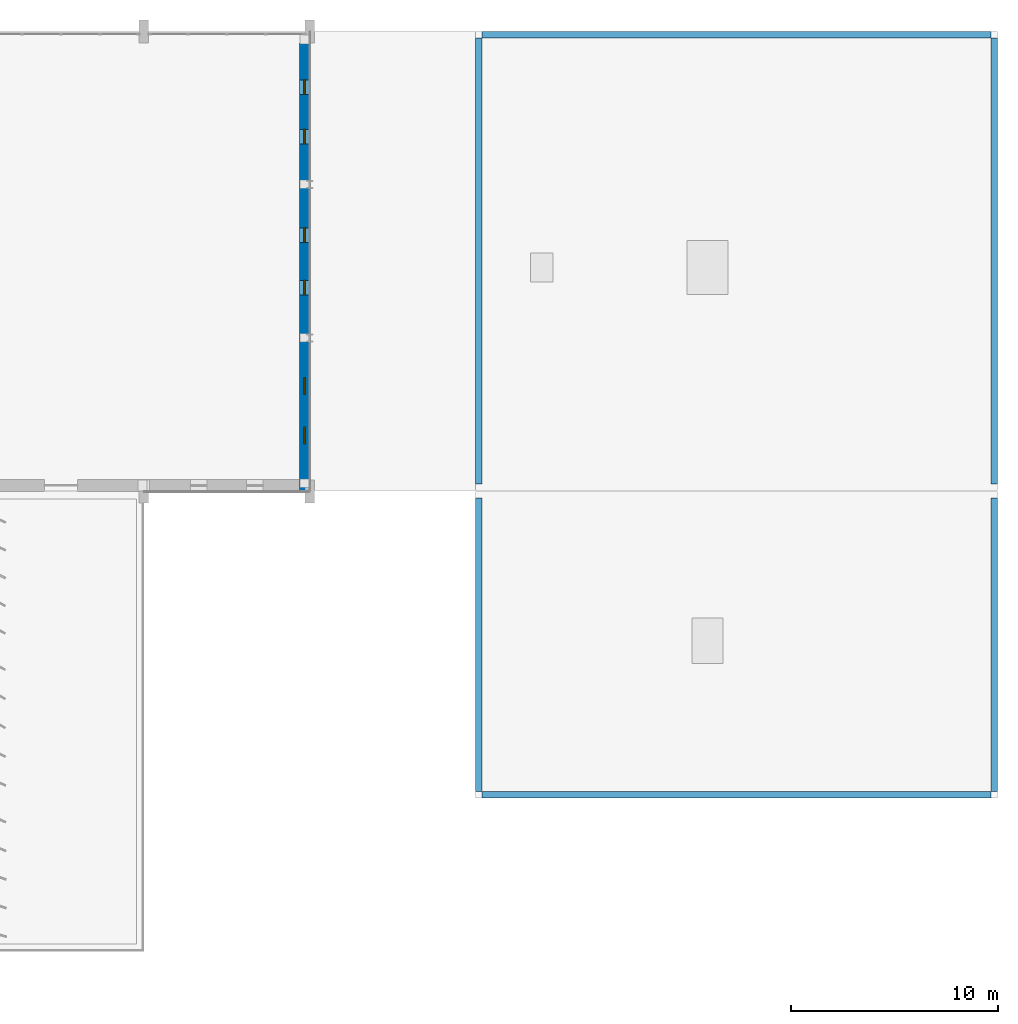
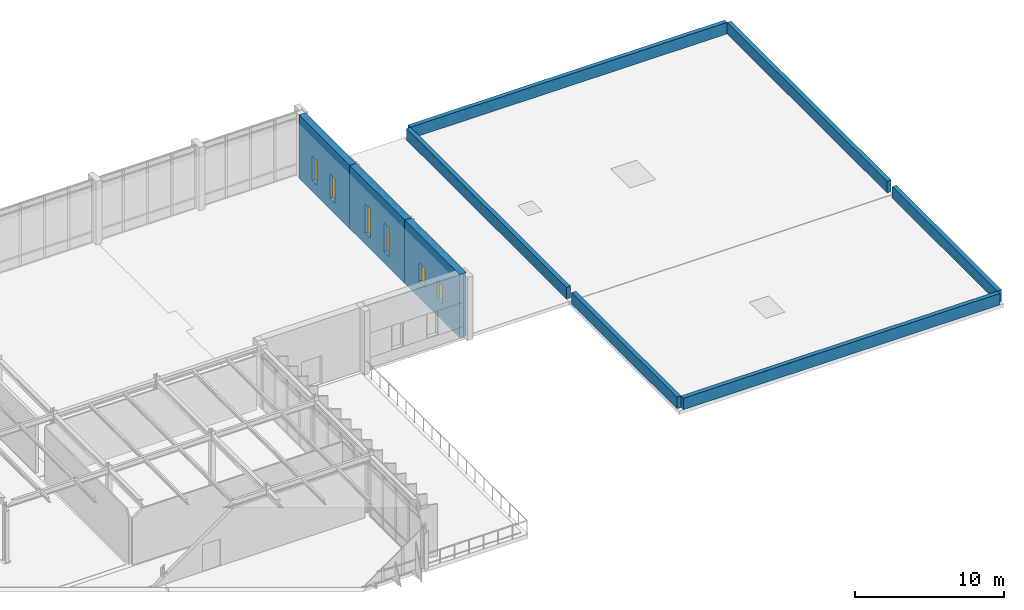
# One storey, part 37 of 48: 9 walls, 6 windows, 6 openings.
"""IFC4 building model written with IfcOpenShell, lengths in metres."""

from ifc_helpers import new_model, si_unit, direction, frame, frame_2d, origin, place, context, subcontext, project, spatial, rectangle, extrude, material, layer, layer_set, type_object, element, fill, save


model = new_model("IFC4")

# Units and contexts
model_context = context("Model", 3, precision=1e-05, world=origin(), true_north=direction((0.0, 1.0)))
body_context = subcontext(model_context, "Body", "Model", "MODEL_VIEW")
ifc_project = project(units=[si_unit("LENGTHUNIT", "METRE"), si_unit("AREAUNIT", "SQUARE_METRE"), si_unit("VOLUMEUNIT", "CUBIC_METRE"), si_unit("PLANEANGLEUNIT", "RADIAN"), si_unit("MASSUNIT", "GRAM", prefix="KILO")], contexts=[model_context])

# Site, building, storey
site_placement = place(None, origin())
site = spatial("IfcSite", under=ifc_project, at=site_placement, CompositionType="ELEMENT")
building_placement = place(site_placement, origin())
building = spatial("IfcBuilding", under=site, at=building_placement, Name="Valkorina Park Police Headquarters", CompositionType="ELEMENT")
storey_placement = place(building_placement, frame((0.0, 0.0, 18.10009765625)))
storey = spatial("IfcBuildingStorey", under=building, at=storey_placement, Name="L05", CompositionType="ELEMENT", Elevation=18.10009765625)

# Wall, openings, windows
ifc_material_1 = material(Name="Precast concrete C40/50", Category="concrete")
ifc_layer_1 = layer(ifc_material_1, 0.5)
ifc_layer_set_1 = layer_set([ifc_layer_1], Name="Precast concrete C40/50")
wall_type_1 = type_object("IfcWallType", Name="WL-EXT-SPANDREL-500", PredefinedType="STANDARD", material=ifc_layer_set_1)
wall_1_placement = place(storey_placement, frame((128.550048828125, 80.840087890625, 0.0), z_axis=(0.0, 0.0, 1.0), x_axis=(0.0, -1.0, 0.0)))
wall_1 = element("IfcWall", 1, at=wall_1_placement, inside=storey, type_object=wall_type_1, Name="L05 Architectural Concrete Exterior Wall 0263", PredefinedType="STANDARD", context=body_context, shape_type="SweptSolid", body=[
    extrude(rectangle(XDim=6.840087890625, YDim=0.5, at=frame_2d((3.419921875, 0.0))), origin(), (0.0, 0.0, 1.0), 5.199951171875),
])
opening_1_placement = place(wall_1_placement, frame((1.778076171875, 0.0, 0.89990234375)))
opening_1 = element("IfcOpeningElement", 2, at=opening_1_placement, cuts=wall_1, Name="Opening WN-08", PredefinedType="OPENING", context=body_context, shape_type="SweptSolid", body=[
    extrude(rectangle(XDim=0.699951171875, YDim=2.0, at=frame_2d((0.35009765625, 1.0))), frame((0.0, 0.260009765625, 0.0), z_axis=(0.0, -1.0, 0.0), x_axis=(1.0, 0.0, 0.0)), (0.0, 0.0, 1.0), 0.52001953125),
])
opening_2_placement = place(wall_1_placement, frame((4.172119140625, 0.0, 0.89990234375)))
opening_2 = element("IfcOpeningElement", 3, at=opening_2_placement, cuts=wall_1, Name="Opening WN-08", PredefinedType="OPENING", context=body_context, shape_type="SweptSolid", body=[
    extrude(rectangle(XDim=0.699951171875, YDim=2.0, at=frame_2d((0.35009765625, 1.0))), frame((0.0, 0.260009765625, 0.0), z_axis=(0.0, -1.0, 0.0), x_axis=(1.0, 0.0, 0.0)), (0.0, 0.0, 1.0), 0.52001953125),
])
ifc_material_2 = material(Name="Triple low-E insulated glazing", Category="glass")
ifc_layer_2 = layer(ifc_material_2, 0.06005859375)
ifc_layer_set_2 = layer_set([ifc_layer_2], Name="Triple low-E insulated glazing")
window_type_1 = type_object("IfcWindowType", Name="WN-SLOT-700x2000", PartitioningType="SINGLE_PANEL", PredefinedType="WINDOW", material=ifc_layer_set_2)
window_1_placement = place(opening_1_placement, origin())
window_1 = element("IfcWindow", 4, at=window_1_placement, inside=storey, type_object=window_type_1, Name="Window L05-0446", OverallHeight=2.0, OverallWidth=0.699951171875, PartitioningType="SINGLE_PANEL", PredefinedType="WINDOW", context=body_context, shape_type="SweptSolid", body=[
    extrude(rectangle(XDim=0.699951171875, YDim=2.0, at=frame_2d((0.35009765625, 1.0))), frame((0.0, 0.030029296875, 0.0), z_axis=(0.0, -1.0, 0.0), x_axis=(1.0, 0.0, 0.0)), (0.0, 0.0, 1.0), 0.06005859375),
])
fill(opening_1, window_1)
window_2_placement = place(opening_2_placement, origin())
window_2 = element("IfcWindow", 5, at=window_2_placement, inside=storey, type_object=window_type_1, Name="Window L05-0447", OverallHeight=2.0, OverallWidth=0.699951171875, PartitioningType="SINGLE_PANEL", PredefinedType="WINDOW", context=body_context, shape_type="SweptSolid", body=[
    extrude(rectangle(XDim=0.699951171875, YDim=2.0, at=frame_2d((0.35009765625, 1.0))), frame((0.0, 0.030029296875, 0.0), z_axis=(0.0, -1.0, 0.0), x_axis=(1.0, 0.0, 0.0)), (0.0, 0.0, 1.0), 0.06005859375),
])
fill(opening_2, window_2)

wall_2_placement = place(storey_placement, frame((128.550048828125, 74.0, 0.0), z_axis=(0.0, 0.0, 1.0), x_axis=(0.0, -1.0, 0.0)))
wall_2 = element("IfcWall", 6, at=wall_2_placement, inside=storey, type_object=wall_type_1, Name="L05 Architectural Concrete Exterior Wall 0264", PredefinedType="STANDARD", context=body_context, shape_type="SweptSolid", body=[
    extrude(rectangle(XDim=7.39990234375, YDim=0.5, at=frame_2d((3.699951171875, 0.0))), origin(), (0.0, 0.0, 1.0), 5.199951171875),
])
opening_3_placement = place(wall_2_placement, frame((2.08642578125, 0.0, 0.89990234375)))
opening_3 = element("IfcOpeningElement", 7, at=opening_3_placement, cuts=wall_2, Name="Opening WN-09", PredefinedType="OPENING", context=body_context, shape_type="SweptSolid", body=[
    extrude(rectangle(XDim=0.699951171875, YDim=2.39990234375, at=frame_2d((0.35009765625, 1.199951171875))), frame((0.0, 0.260009765625, 0.0), z_axis=(0.0, -1.0, 0.0), x_axis=(1.0, 0.0, 0.0)), (0.0, 0.0, 1.0), 0.52001953125),
])
opening_4_placement = place(wall_2_placement, frame((4.613525390625, 0.0, 0.89990234375)))
opening_4 = element("IfcOpeningElement", 8, at=opening_4_placement, cuts=wall_2, Name="Opening WN-09", PredefinedType="OPENING", context=body_context, shape_type="SweptSolid", body=[
    extrude(rectangle(XDim=0.699951171875, YDim=2.39990234375, at=frame_2d((0.35009765625, 1.199951171875))), frame((0.0, 0.260009765625, 0.0), z_axis=(0.0, -1.0, 0.0), x_axis=(1.0, 0.0, 0.0)), (0.0, 0.0, 1.0), 0.52001953125),
])
ifc_layer_3 = layer(ifc_material_2, 0.06005859375)
ifc_layer_set_3 = layer_set([ifc_layer_3], Name="Triple low-E insulated glazing")
window_type_2 = type_object("IfcWindowType", Name="WN-SLOT-700x2400", PartitioningType="SINGLE_PANEL", PredefinedType="WINDOW", material=ifc_layer_set_3)
window_3_placement = place(opening_3_placement, origin())
window_3 = element("IfcWindow", 9, at=window_3_placement, inside=storey, type_object=window_type_2, Name="Window L05-0448", OverallHeight=2.39990234375, OverallWidth=0.699951171875, PartitioningType="SINGLE_PANEL", PredefinedType="WINDOW", context=body_context, shape_type="SweptSolid", body=[
    extrude(rectangle(XDim=0.699951171875, YDim=2.39990234375, at=frame_2d((0.35009765625, 1.199951171875))), frame((0.0, 0.030029296875, 0.0), z_axis=(0.0, -1.0, 0.0), x_axis=(1.0, 0.0, 0.0)), (0.0, 0.0, 1.0), 0.06005859375),
])
fill(opening_3, window_3)
window_4_placement = place(opening_4_placement, origin())
window_4 = element("IfcWindow", 10, at=window_4_placement, inside=storey, type_object=window_type_2, Name="Window L05-0449", OverallHeight=2.39990234375, OverallWidth=0.699951171875, PartitioningType="SINGLE_PANEL", PredefinedType="WINDOW", context=body_context, shape_type="SweptSolid", body=[
    extrude(rectangle(XDim=0.699951171875, YDim=2.39990234375, at=frame_2d((0.35009765625, 1.199951171875))), frame((0.0, 0.030029296875, 0.0), z_axis=(0.0, -1.0, 0.0), x_axis=(1.0, 0.0, 0.0)), (0.0, 0.0, 1.0), 0.06005859375),
])
fill(opening_4, window_4)

wall_3_placement = place(storey_placement, frame((128.550048828125, 66.60009765625, 0.0), z_axis=(0.0, 0.0, 1.0), x_axis=(0.0, -1.0, 0.0)))
wall_3 = element("IfcWall", 11, at=wall_3_placement, inside=storey, type_object=wall_type_1, Name="L05 Architectural Concrete Exterior Wall 0265", PredefinedType="STANDARD", context=body_context, shape_type="SweptSolid", body=[
    extrude(rectangle(XDim=7.400146484375, YDim=0.5, at=frame_2d((3.7001953125, 0.0))), origin(), (0.0, 0.0, 1.0), 5.199951171875),
])
opening_5_placement = place(wall_3_placement, frame((1.91796875, 0.0, 1.35009765625)))
opening_5 = element("IfcOpeningElement", 12, at=opening_5_placement, cuts=wall_3, Name="Opening WN-10", PredefinedType="OPENING", context=body_context, shape_type="SweptSolid", body=[
    extrude(rectangle(XDim=0.800048828125, YDim=1.550048828125, at=frame_2d((0.39990234375, 0.77490234375))), frame((0.0, 0.260009765625, 0.0), z_axis=(0.0, -1.0, 0.0), x_axis=(1.0, 0.0, 0.0)), (0.0, 0.0, 1.0), 0.52001953125),
])
opening_6_placement = place(wall_3_placement, frame((4.31201171875, 0.0, 1.35009765625)))
opening_6 = element("IfcOpeningElement", 13, at=opening_6_placement, cuts=wall_3, Name="Opening WN-10", PredefinedType="OPENING", context=body_context, shape_type="SweptSolid", body=[
    extrude(rectangle(XDim=0.800048828125, YDim=1.550048828125, at=frame_2d((0.39990234375, 0.77490234375))), frame((0.0, 0.260009765625, 0.0), z_axis=(0.0, -1.0, 0.0), x_axis=(1.0, 0.0, 0.0)), (0.0, 0.0, 1.0), 0.52001953125),
])
ifc_layer_4 = layer(ifc_material_2, 0.06005859375)
ifc_layer_set_4 = layer_set([ifc_layer_4], Name="Triple low-E insulated glazing")
window_type_3 = type_object("IfcWindowType", Name="WN-SLOT-800x1550", PartitioningType="SINGLE_PANEL", PredefinedType="WINDOW", material=ifc_layer_set_4)
window_5_placement = place(opening_5_placement, origin())
window_5 = element("IfcWindow", 14, at=window_5_placement, inside=storey, type_object=window_type_3, Name="Window L05-0450", OverallHeight=1.550048828125, OverallWidth=0.800048828125, PartitioningType="SINGLE_PANEL", PredefinedType="WINDOW", context=body_context, shape_type="SweptSolid", body=[
    extrude(rectangle(XDim=0.800048828125, YDim=1.550048828125, at=frame_2d((0.39990234375, 0.77490234375))), frame((0.0, 0.030029296875, 0.0), z_axis=(0.0, -1.0, 0.0), x_axis=(1.0, 0.0, 0.0)), (0.0, 0.0, 1.0), 0.06005859375),
])
fill(opening_5, window_5)
window_6_placement = place(opening_6_placement, origin())
window_6 = element("IfcWindow", 15, at=window_6_placement, inside=storey, type_object=window_type_3, Name="Window L05-0451", OverallHeight=1.550048828125, OverallWidth=0.800048828125, PartitioningType="SINGLE_PANEL", PredefinedType="WINDOW", context=body_context, shape_type="SweptSolid", body=[
    extrude(rectangle(XDim=0.800048828125, YDim=1.550048828125, at=frame_2d((0.39990234375, 0.77490234375))), frame((0.0, 0.030029296875, 0.0), z_axis=(0.0, -1.0, 0.0), x_axis=(1.0, 0.0, 0.0)), (0.0, 0.0, 1.0), 0.06005859375),
])
fill(opening_6, window_6)

# Walls
ifc_layer_5 = layer(ifc_material_1, 0.320068359375)
ifc_layer_set_5 = layer_set([ifc_layer_5], Name="Precast concrete C40/50")
wall_type_2 = type_object("IfcWallType", Name="WL-PARAPET-320", PredefinedType="PARAPET", material=ifc_layer_set_5)
wall_4_placement = place(storey_placement, frame((161.679931640625, 44.56005859375, 0.0), z_axis=(0.0, 0.0, 1.0), x_axis=(-1.0, 0.0, 0.0)))
element("IfcWall", 16, at=wall_4_placement, inside=storey, type_object=wall_type_2, Name="L05 Precast Roof Parapet 10", PredefinedType="PARAPET", context=body_context, shape_type="SweptSolid", body=[
    extrude(rectangle(XDim=24.559814453125, YDim=0.320068359375, at=frame_2d((12.27978515625, 0.0))), origin(), (0.0, 0.0, 1.0), 0.949951171875),
])
for number, where, z_axis, x_axis, name in (
    (17, (136.9599609375, 44.719970703125, 0.0), (0.0, 0.0, 1.0), (0.0, 1.0, 0.0), "L05 Precast Roof Parapet 11"),
    (18, (161.840087890625, 58.8720703125, 0.0), (0.0, 0.0, 1.0), (0.0, -1.0, 0.0), "L05 Precast Roof Parapet 12"),
):
    element("IfcWall", number, at=place(storey_placement, frame(where, z_axis=z_axis, x_axis=x_axis)), inside=storey, type_object=wall_type_2, Name=name, PredefinedType="PARAPET", context=body_context, shape_type="SweptSolid", body=[
        extrude(rectangle(XDim=14.152099609375, YDim=0.320068359375, at=frame_2d((7.076171875, 0.0))), origin(), (0.0, 0.0, 1.0), 0.949951171875),
    ])
wall_5_placement = place(storey_placement, frame((136.9599609375, 59.56201171875, 0.0), z_axis=(0.0, 0.0, 1.0), x_axis=(0.0, 1.0, 0.0)))
element("IfcWall", 19, at=wall_5_placement, inside=storey, type_object=wall_type_2, Name="L05 Precast Roof Parapet 13", PredefinedType="PARAPET", context=body_context, shape_type="SweptSolid", body=[
    extrude(rectangle(XDim=21.51806640625, YDim=0.320068359375, at=frame_2d((10.759033203125, 0.0))), origin(), (0.0, 0.0, 1.0), 0.949951171875),
])
wall_6_placement = place(storey_placement, frame((137.1201171875, 81.239990234375, 0.0), z_axis=(0.0, 0.0, 1.0), x_axis=(1.0, 0.0, 0.0)))
element("IfcWall", 20, at=wall_6_placement, inside=storey, type_object=wall_type_2, Name="L05 Precast Roof Parapet 14", PredefinedType="PARAPET", context=body_context, shape_type="SweptSolid", body=[
    extrude(rectangle(XDim=24.559814453125, YDim=0.320068359375, at=frame_2d((12.27978515625, 0.0))), origin(), (0.0, 0.0, 1.0), 0.949951171875),
])
wall_7_placement = place(storey_placement, frame((161.840087890625, 81.080078125, 0.0), z_axis=(0.0, 0.0, 1.0), x_axis=(0.0, -1.0, 0.0)))
element("IfcWall", 21, at=wall_7_placement, inside=storey, type_object=wall_type_2, Name="L05 Precast Roof Parapet 15", PredefinedType="PARAPET", context=body_context, shape_type="SweptSolid", body=[
    extrude(rectangle(XDim=21.51806640625, YDim=0.320068359375, at=frame_2d((10.759033203125, 0.0))), origin(), (0.0, 0.0, 1.0), 0.949951171875),
])

save(model, "model.ifc")
